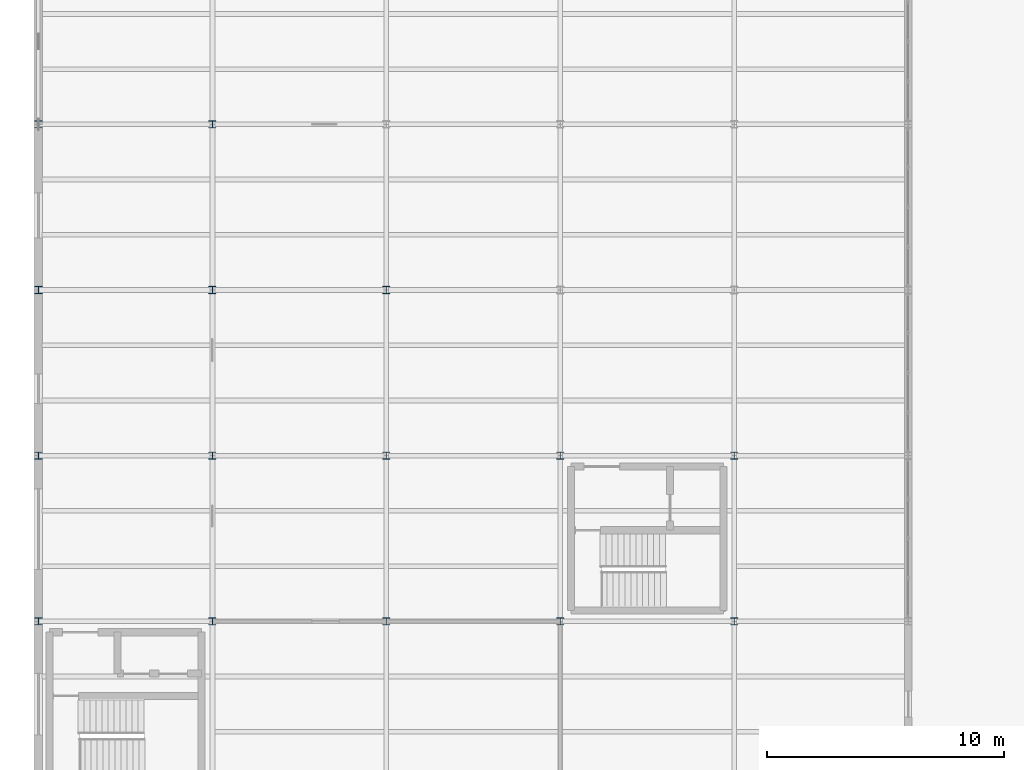
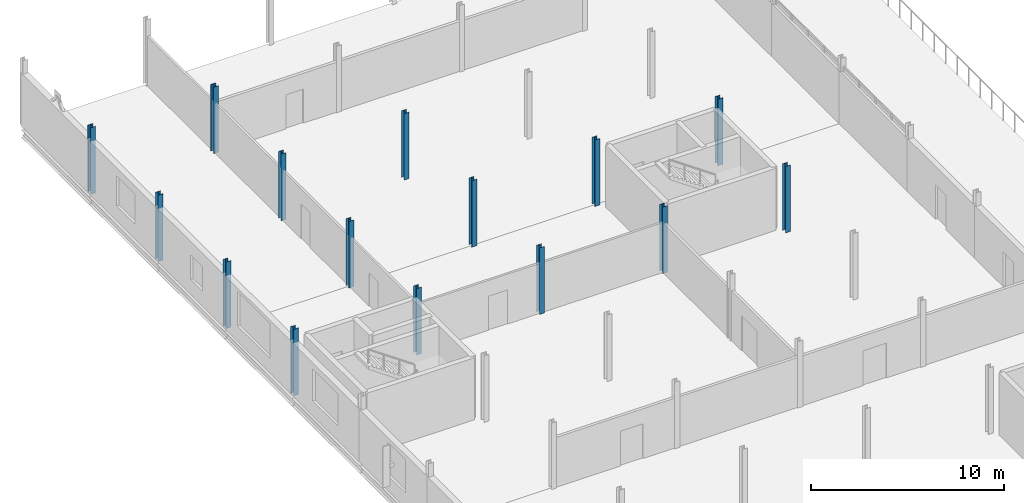
# One storey, part 5 of 39: 15 columns.
"""IFC4 building model written with IfcOpenShell, lengths in metres."""

import ifcopenshell
import ifcopenshell.guid

model = None  # the IFC model being written
_history = None  # IfcOwnerHistory: only IFC2X3 demands one
_inside = {}  # id of a spatial element -> (the spatial element, [elements in it])
_under = {}  # id of a project, library or spatial element -> (it, [spatial elements below it])
_declared = {}  # id of a project -> (the project, [libraries it declares])
_typed = {}  # id of a type object -> (the type object, [elements of that type])
_made_of = {}  # id of a material, layer set ... -> (it, [elements and type objects made of it])


def new_model(schema):
    """Start an empty IFC model of exactly this schema.

    Asked for "IFC4X3", IfcOpenShell would pick the latest addendum, in which some entities
    have other attributes; the version numbers below select the first issue.
    IFC2X3 requires an IfcOwnerHistory on every rooted entity: one is made here for all.
    """
    global model, _history
    if schema == "IFC4X3":
        model = ifcopenshell.file(schema_version=(4, 3, 0, 0))
    else:
        model = ifcopenshell.file(schema=schema)
    _inside.clear()
    _under.clear()
    _declared.clear()
    _typed.clear()
    _made_of.clear()
    _history = None
    if model.schema == "IFC2X3":
        org = make("IfcOrganization", Name="unknown")
        user = make(
            "IfcPersonAndOrganization",
            ThePerson=make("IfcPerson", FamilyName="unknown"),
            TheOrganization=org,
        )
        app = make(
            "IfcApplication",
            ApplicationDeveloper=org,
            Version="unknown",
            ApplicationFullName="unknown",
            ApplicationIdentifier="unknown",
        )
        _history = make(
            "IfcOwnerHistory",
            OwningUser=user,
            OwningApplication=app,
            ChangeAction="ADDED",
            CreationDate=0,
        )
    return model


def make(cls, **values):
    """One entity of the class cls with the attributes given. An attribute that is None is left unset."""
    return model.create_entity(
        cls, **{name: value for name, value in values.items() if value is not None}
    )


def rooted(cls, **values):
    """An entity with a GlobalId (a new one), such as an element, a storey or a relation."""
    return make(cls, GlobalId=ifcopenshell.guid.new(), OwnerHistory=_history, **values)


def si_unit(unit_type, name, prefix=None):
    """IfcSIUnit, for example si_unit("LENGTHUNIT", "METRE", prefix="MILLI")."""
    return make("IfcSIUnit", UnitType=unit_type, Prefix=prefix, Name=name)


def assignment(units):
    """IfcUnitAssignment: the units of a project."""
    return None if units is None else make("IfcUnitAssignment", Units=units)


def point(xyz):
    """IfcCartesianPoint."""
    return None if xyz is None else make("IfcCartesianPoint", Coordinates=xyz)


def direction(xyz):
    """IfcDirection."""
    return None if xyz is None else make("IfcDirection", DirectionRatios=xyz)


def frame(location, z_axis=None, x_axis=None):
    """IfcAxis2Placement3D, a coordinate frame: its origin and axes. An axis left out is left unset."""
    return make(
        "IfcAxis2Placement3D",
        Location=point(location),
        Axis=direction(z_axis),
        RefDirection=direction(x_axis),
    )


def frame_2d(location, x_axis=None):
    """IfcAxis2Placement2D, a coordinate frame in the plane: its origin and x axis."""
    return make(
        "IfcAxis2Placement2D", Location=point(location), RefDirection=direction(x_axis)
    )


def origin():
    """The frame at (0, 0, 0) with its axes left unset."""
    return frame((0.0, 0.0, 0.0))


def origin_2d():
    """The frame at (0, 0) in the plane with its x axis left unset."""
    return frame_2d((0.0, 0.0))


def place(relative_to, where):
    """IfcLocalPlacement: puts the frame where relative to a parent placement (None: the world)."""
    return make(
        "IfcLocalPlacement", PlacementRelTo=relative_to, RelativePlacement=where
    )


def context(
    kind, dimensions, precision=None, world=None, true_north=None, identifier=None
):
    """IfcGeometricRepresentationContext, for example the 3D "Model" context."""
    return make(
        "IfcGeometricRepresentationContext",
        ContextIdentifier=identifier,
        ContextType=kind,
        CoordinateSpaceDimension=dimensions,
        Precision=precision,
        WorldCoordinateSystem=world,
        TrueNorth=true_north,
    )


def subcontext(parent, identifier, kind, view, scale=None):
    """IfcGeometricRepresentationSubContext, for example "Body" below "Model"."""
    return make(
        "IfcGeometricRepresentationSubContext",
        ContextIdentifier=identifier,
        ContextType=kind,
        ParentContext=parent,
        TargetScale=scale,
        TargetView=view,
    )


def project(units=None, contexts=None):
    """IfcProject with its units and contexts."""
    return rooted(
        "IfcProject",
        Name="project",
        RepresentationContexts=contexts,
        UnitsInContext=assignment(units),
    )


def spatial(cls, under=None, at=None, **own):
    """A site, building, storey or space (cls), placed at a placement, below another one or the project."""
    s = rooted(cls, ObjectPlacement=at, **own)
    if under is not None:
        _under.setdefault(under.id(), (under, []))[1].append(s)
    return s


def profile(cls, at=None, kind="AREA", **sizes):
    """A parametric profile (cls). Its sizes go by their IFC names, for example OverallWidth=200.0."""
    return make(cls, ProfileType=kind, Position=at, **sizes)


def i_section(**sizes):
    """IfcIShapeProfileDef."""
    return profile("IfcIShapeProfileDef", **sizes)


def extrude(swept, where, along, depth):
    """IfcExtrudedAreaSolid: the profile swept, set in the frame where, extruded along a direction by depth."""
    return make(
        "IfcExtrudedAreaSolid",
        SweptArea=swept,
        Position=where,
        ExtrudedDirection=direction(along),
        Depth=depth,
    )


def shape(context_of_items, identifier, shape_type, items):
    """IfcShapeRepresentation: the items that make up one representation, for example the "Body"."""
    return make(
        "IfcShapeRepresentation",
        ContextOfItems=context_of_items,
        RepresentationIdentifier=identifier,
        RepresentationType=shape_type,
        Items=items,
    )


def material(Name=None, Category=None):
    """IfcMaterial."""
    return make("IfcMaterial", Name=Name, Category=Category)


def material_profile(
    of_material, cross_section, Name=None, Category=None, Priority=None
):
    """IfcMaterialProfile: a cross section and its material."""
    return make(
        "IfcMaterialProfile",
        Name=Name,
        Material=of_material,
        Profile=cross_section,
        Priority=Priority,
        Category=Category,
    )


def profile_set(profiles, Name=None, composite=None):
    """IfcMaterialProfileSet."""
    return make(
        "IfcMaterialProfileSet",
        Name=Name,
        MaterialProfiles=profiles,
        CompositeProfile=composite,
    )


def made_of(thing, what):
    """Note that an element or type object is made of a material, layer set ...; save() writes the relation."""
    if what is not None:
        _made_of.setdefault(what.id(), (what, []))[1].append(thing)
    return thing


def type_object(cls, material=None, **own):
    """A type object (cls), such as IfcWallType, which elements share."""
    return made_of(rooted(cls, **own), material)


def element(
    cls,
    number,
    at=None,
    inside=None,
    cuts=None,
    type_object=None,
    material=None,
    context=None,
    identifier="Body",
    shape_type=None,
    held_by="IfcProductDefinitionShape",
    body=None,
    shapes=None,
    **own,
):
    """One element of the class cls, such as IfcWall. Its Tag is "e" and its number.

    at: its placement. inside: the storey or other place that contains it. cuts: it is an
    opening in that element (IfcRelVoidsElement). A single representation is given by context,
    identifier, shape_type and body (its items); several are given by shapes. held_by: the class
    of the entity that holds the representations. save() writes the other relations.
    """
    e = rooted(cls, Tag="e%d" % number, ObjectPlacement=at, **own)
    if body is not None:
        shapes = [shape(context, identifier, shape_type, body)]
    if shapes is not None:
        e.Representation = make(held_by, Representations=shapes)
    if inside is not None:
        _inside.setdefault(inside.id(), (inside, []))[1].append(e)
    if cuts is not None:
        rooted(
            "IfcRelVoidsElement", RelatingBuildingElement=cuts, RelatedOpeningElement=e
        )
    if type_object is not None:
        _typed.setdefault(type_object.id(), (type_object, []))[1].append(e)
    return made_of(e, material)


def aggregate(whole, parts):
    """IfcRelAggregates: a whole, such as a stair, and the parts it consists of."""
    return rooted("IfcRelAggregates", RelatingObject=whole, RelatedObjects=parts)


def save(model, path):
    """Write the relations noted so far, then the file.

    IfcRelAggregates (storeys below a building ...), IfcRelContainedInSpatialStructure (elements
    in a storey), IfcRelDefinesByType, IfcRelAssociatesMaterial and IfcRelDeclares: one each for
    every whole, place, type object, material and project.
    """
    for whole, parts in _under.values():
        aggregate(whole, parts)
    for where, things in _inside.values():
        rooted(
            "IfcRelContainedInSpatialStructure",
            RelatedElements=things,
            RelatingStructure=where,
        )
    for kind, things in _typed.values():
        rooted("IfcRelDefinesByType", RelatedObjects=things, RelatingType=kind)
    for what, things in _made_of.values():
        rooted("IfcRelAssociatesMaterial", RelatedObjects=things, RelatingMaterial=what)
    for by, libraries in _declared.values():
        rooted("IfcRelDeclares", RelatingContext=by, RelatedDefinitions=libraries)
    model.write(path)


model = new_model("IFC4")

# Units and contexts
model_context = context("Model", 3, precision=1e-05, world=origin(), true_north=direction((0.0, 1.0)))
body_context = subcontext(model_context, "Body", "Model", "MODEL_VIEW")
ifc_project = project(units=[si_unit("LENGTHUNIT", "METRE"), si_unit("AREAUNIT", "SQUARE_METRE"), si_unit("VOLUMEUNIT", "CUBIC_METRE"), si_unit("PLANEANGLEUNIT", "RADIAN"), si_unit("MASSUNIT", "GRAM", prefix="KILO")], contexts=[model_context])

# Site, building, storey
site_placement = place(None, origin())
site = spatial("IfcSite", under=ifc_project, at=site_placement, CompositionType="ELEMENT")
building_placement = place(site_placement, origin())
building = spatial("IfcBuilding", under=site, at=building_placement, Name="Kazenagashi Tramway Depot", CompositionType="ELEMENT")
storey_placement = place(building_placement, frame((0.0, 0.0, 11.1)))
storey = spatial("IfcBuildingStorey", under=building, at=storey_placement, Name="L03", CompositionType="ELEMENT", Elevation=11.1)

# Columns
ifc_material = material(Name="Steel SN490B", Category="steel")
ifc_material_profile = material_profile(ifc_material, i_section(OverallWidth=0.3, OverallDepth=0.3, WebThickness=0.01, FlangeThickness=0.015, at=origin_2d()), Name="H-300x300x10x15")
ifc_profile_set = profile_set([ifc_material_profile], Name="Steel SN490B")
column_type = type_object("IfcColumnType", Name="C-05", PredefinedType="COLUMN", material=ifc_profile_set)
for number, where, z_axis, x_axis, name in (
    (1, (0.0, 35.0, 0.0), (0.0, 0.0, 1.0), (1.0, 0.0, 0.0), "Column C-05 COL-0556"),
    (2, (0.0, 42.0, 0.0), (0.0, 0.0, 1.0), (1.0, 0.0, 0.0), "Column C-05 COL-0561"),
    (3, (0.0, 49.0, 0.0), (0.0, 0.0, 1.0), (1.0, 0.0, 0.0), "Column C-05 COL-0566"),
    (4, (0.0, 56.0, 0.0), (0.0, 0.0, 1.0), (1.0, 0.0, 0.0), "Column C-05 COL-0570"),
    (5, (7.35, 35.0, 0.0), (0.0, 0.0, 1.0), (1.0, 0.0, 0.0), "Column C-05 COL-0598"),
    (6, (7.35, 42.0, 0.0), (0.0, 0.0, 1.0), (1.0, 0.0, 0.0), "Column C-05 COL-0603"),
    (7, (7.35, 49.0, 0.0), (0.0, 0.0, 1.0), (1.0, 0.0, 0.0), "Column C-05 COL-0608"),
    (8, (7.35, 56.0, 0.0), (0.0, 0.0, 1.0), (1.0, 0.0, 0.0), "Column C-05 COL-0612"),
    (9, (14.7, 35.0, 0.0), (0.0, 0.0, 1.0), (1.0, 0.0, 0.0), "Column C-05 COL-0643"),
    (10, (14.7, 42.0, 0.0), (0.0, 0.0, 1.0), (1.0, 0.0, 0.0), "Column C-05 COL-0648"),
    (11, (14.7, 49.0, 0.0), (0.0, 0.0, 1.0), (1.0, 0.0, 0.0), "Column C-05 COL-0653"),
    (12, (22.05, 35.0, 0.0), (0.0, 0.0, 1.0), (1.0, 0.0, 0.0), "Column C-05 COL-0685"),
    (13, (22.05, 42.0, 0.0), (0.0, 0.0, 1.0), (1.0, 0.0, 0.0), "Column C-05 COL-0690"),
    (14, (29.4, 35.0, 0.0), (0.0, 0.0, 1.0), (1.0, 0.0, 0.0), "Column C-05 COL-0730"),
    (15, (29.4, 42.0, 0.0), (0.0, 0.0, 1.0), (1.0, 0.0, 0.0), "Column C-05 COL-0735"),
):
    element("IfcColumn", number, at=place(storey_placement, frame(where, z_axis=z_axis, x_axis=x_axis)), inside=storey, type_object=column_type, Name=name, PredefinedType="COLUMN", context=body_context, shape_type="SweptSolid", body=[
        extrude(i_section(OverallWidth=0.3, OverallDepth=0.3, WebThickness=0.01, FlangeThickness=0.015, at=origin_2d()), origin(), (0.0, 0.0, 1.0), 4.2),
    ])

save(model, "model.ifc")
